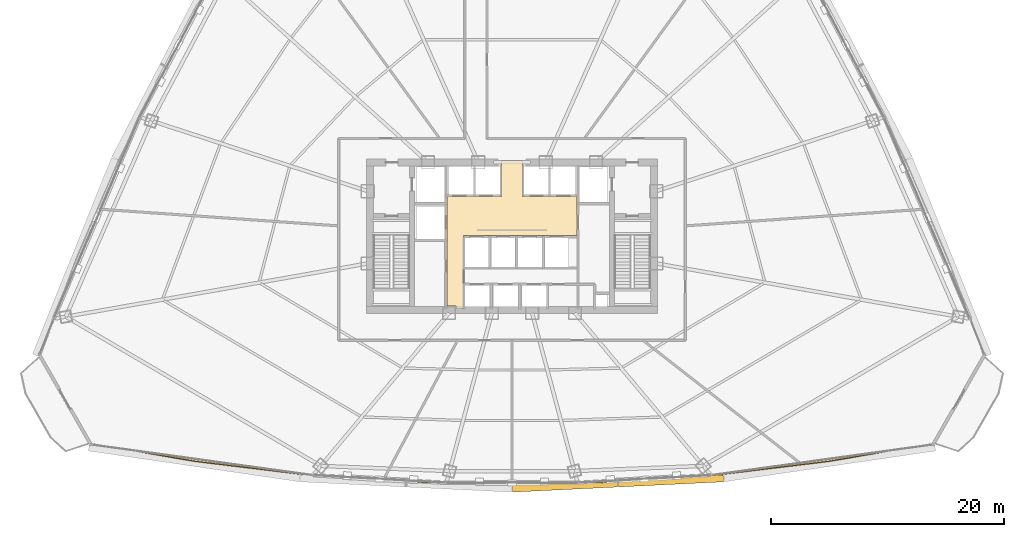
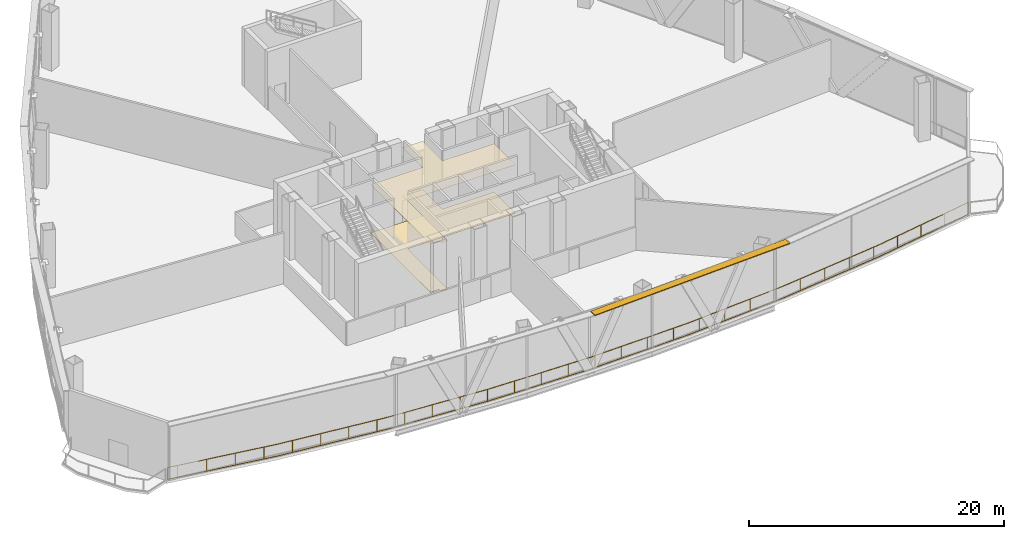
# One storey, part 32 of 36: 2 coverings, 1 railing, 1 shading device.
"""IFC4 building model written with IfcOpenShell, lengths in metres."""

from ifc_helpers import new_model, si_unit, direction, frame, origin, origin_2d, place, context, subcontext, project, spatial, polyline, rectangle, outline, extrude, source, transform, mapped, material, layer, layer_set, type_object, element, save


model = new_model("IFC4")

# Units and contexts
model_context = context("Model", 3, precision=1e-05, world=origin(), true_north=direction((0.0, 1.0)))
body_context = subcontext(model_context, "Body", "Model", "MODEL_VIEW")
ifc_project = project(units=[si_unit("LENGTHUNIT", "METRE"), si_unit("AREAUNIT", "SQUARE_METRE"), si_unit("VOLUMEUNIT", "CUBIC_METRE"), si_unit("PLANEANGLEUNIT", "RADIAN"), si_unit("MASSUNIT", "GRAM", prefix="KILO"), si_unit("THERMODYNAMICTEMPERATUREUNIT", "KELVIN"), si_unit("POWERUNIT", "WATT")], contexts=[model_context])

# Site, building, storey
site_placement = place(None, origin())
site = spatial("IfcSite", under=ifc_project, at=site_placement, CompositionType="ELEMENT")
building_placement = place(site_placement, origin())
building = spatial("IfcBuilding", under=site, at=building_placement, Name="Yunzhuo Pagoda Commons", CompositionType="ELEMENT")
storey_placement = place(building_placement, frame((0.0, 0.0, 119.179931640625)))
storey = spatial("IfcBuildingStorey", under=building, at=storey_placement, Name="L30", CompositionType="ELEMENT", Elevation=119.179931640625)

# Coverings
ifc_material_1 = material(Name="Mineral fibre acoustic ceiling board")
ifc_layer_1 = layer(ifc_material_1, 0.02490234375)
ifc_layer_set_1 = layer_set([ifc_layer_1], Name="Mineral fibre acoustic ceiling board")
covering_type_1 = type_object("IfcCoveringType", Name="COV-CL1 Ceiling 25", PredefinedType="CEILING", material=ifc_layer_set_1)
covering_1_placement = place(storey_placement, frame((0.0, 0.0, 4.6201171875)))
element("IfcCovering", 1, at=covering_1_placement, inside=storey, type_object=covering_type_1, Name="L30 lift lobby acoustic ceiling", PredefinedType="CEILING", context=body_context, shape_type="SweptSolid", body=[
    extrude(outline(polyline([(43.207763671875, 27.85009765625), (43.201904296875, 27.864013671875), (43.187744140625, 27.8701171875), (42.39990234375, 27.8701171875), (42.39990234375, 33.89990234375), (42.39990234375, 37.25), (47.10009765625, 37.25), (47.10009765625, 40.35009765625), (48.89990234375, 40.35009765625), (48.89990234375, 37.25), (53.580078125, 37.25), (53.580078125, 33.89990234375), (43.820068359375, 33.89990234375), (43.820068359375, 27.60009765625), (43.207763671875, 27.60009765625), (43.207763671875, 27.85009765625)])), origin(), (0.0, 0.0, 1.0), 0.02490234375),
])
ifc_material_2 = material(Name="Terrazzo stone lobby flooring", Category="masonry")
ifc_layer_2 = layer(ifc_material_2, 0.02392578125)
ifc_layer_set_2 = layer_set([ifc_layer_2], Name="Terrazzo stone lobby flooring")
covering_type_2 = type_object("IfcCoveringType", Name="COV-FL2 Flooring 24", PredefinedType="FLOORING", material=ifc_layer_set_2)
covering_2_placement = place(storey_placement, origin())
element("IfcCovering", 2, at=covering_2_placement, inside=storey, type_object=covering_type_2, Name="L30 lift lobby flooring", PredefinedType="FLOORING", context=body_context, shape_type="SweptSolid", body=[
    extrude(outline(polyline([(43.207763671875, 27.85009765625), (43.201904296875, 27.864013671875), (43.187744140625, 27.8701171875), (42.39990234375, 27.8701171875), (42.39990234375, 33.89990234375), (42.39990234375, 37.25), (47.10009765625, 37.25), (47.10009765625, 40.35009765625), (48.89990234375, 40.35009765625), (48.89990234375, 37.25), (53.580078125, 37.25), (53.580078125, 33.89990234375), (43.820068359375, 33.89990234375), (43.820068359375, 27.60009765625), (43.207763671875, 27.60009765625), (43.207763671875, 27.85009765625)])), origin(), (0.0, 0.0, 1.0), 0.024169921875),
])

# Railing
ifc_material_3 = material(Name="Anodized aluminium 6063-T6", Category="aluminium")
railing_type = type_object("IfcRailingType", Name="RL-SIL1 Curtain-Wall Sill Safety Guardrail 1180", PredefinedType="GUARDRAIL", material=ifc_material_3)
railing_placement = place(storey_placement, frame((84.212890625, 16.03564453125, 0.0)))
element("IfcRailing", 3, at=railing_placement, inside=storey, type_object=railing_type, Name="L30 curtain-wall sill safety rail 2", PredefinedType="GUARDRAIL", context=body_context, shape_type="SweptSolid", body=[
    extrude(rectangle(XDim=0.048095703125, YDim=0.048095703125, at=origin_2d()), frame((0.0, 0.0, 1.15576171875), z_axis=(-0.985806616016, -0.167884829033, 0.0), x_axis=(0.167884829033, -0.985806616016, 0.0)), (0.0, 0.0, 1.0), 9.0947265625),
    extrude(rectangle(XDim=0.048095703125, YDim=0.048095703125, at=origin_2d()), frame((0.0, 0.0, 0.02392578125), z_axis=(-0.985806616016, -0.167884829033, 0.0), x_axis=(0.167884829033, -0.985806616016, 0.0)), (0.0, 0.0, 1.0), 9.0947265625),
    extrude(rectangle(XDim=0.048095703125, YDim=0.048095703125, at=origin_2d()), frame((-8.965576171875, -1.52685546875, 1.15576171875), z_axis=(-0.99268055971, -0.120769641773, 0.0), x_axis=(0.120769641773, -0.99268055971, 0.0)), (0.0, 0.0, 1.0), 9.1494140625),
    extrude(rectangle(XDim=0.048095703125, YDim=0.048095703125, at=origin_2d()), frame((-8.965576171875, -1.52685546875, 0.02392578125), z_axis=(-0.99268055971, -0.120769641773, 0.0), x_axis=(0.120769641773, -0.99268055971, 0.0)), (0.0, 0.0, 1.0), 9.1494140625),
    extrude(rectangle(XDim=0.048095703125, YDim=0.048095703125, at=origin_2d()), frame((-18.048095703125, -2.6318359375, 1.15576171875), z_axis=(-0.997345465649, -0.072814985745, 0.0), x_axis=(0.072814985745, -0.997345465649, 0.0)), (0.0, 0.0, 1.0), 9.1064453125),
    extrude(rectangle(XDim=0.048095703125, YDim=0.048095703125, at=origin_2d()), frame((-18.048095703125, -2.6318359375, 0.02392578125), z_axis=(-0.997345465649, -0.072814985745, 0.0), x_axis=(0.072814985745, -0.997345465649, 0.0)), (0.0, 0.0, 1.0), 9.1064453125),
    extrude(rectangle(XDim=0.048095703125, YDim=0.048095703125, at=origin_2d()), frame((-27.13037109375, -3.294921875, 1.15576171875), z_axis=(-0.999704238336, -0.024319454215, 0.0), x_axis=(0.024319454215, -0.999704238336, 0.0)), (0.0, 0.0, 1.0), 9.085205078125),
    extrude(rectangle(XDim=0.048095703125, YDim=0.048095703125, at=origin_2d()), frame((-27.13037109375, -3.294921875, 0.02392578125), z_axis=(-0.999704238336, -0.024319454215, 0.0), x_axis=(0.024319454215, -0.999704238336, 0.0)), (0.0, 0.0, 1.0), 9.085205078125),
    extrude(rectangle(XDim=0.048095703125, YDim=0.048095703125, at=origin_2d()), frame((-36.212890625, -3.515869140625, 1.15576171875), z_axis=(-0.999704238336, 0.024319454215, 0.0), x_axis=(-0.024319454215, -0.999704238336, 0.0)), (0.0, 0.0, 1.0), 9.085205078125),
    extrude(rectangle(XDim=0.048095703125, YDim=0.048095703125, at=origin_2d()), frame((-36.212890625, -3.515869140625, 0.02392578125), z_axis=(-0.999704238336, 0.024319454215, 0.0), x_axis=(-0.024319454215, -0.999704238336, 0.0)), (0.0, 0.0, 1.0), 9.085205078125),
    extrude(rectangle(XDim=0.048095703125, YDim=0.048095703125, at=origin_2d()), frame((-45.29541015625, -3.294921875, 1.15576171875), z_axis=(-0.997345465649, 0.072814985745, 0.0), x_axis=(-0.072814985745, -0.997345465649, 0.0)), (0.0, 0.0, 1.0), 9.1064453125),
    extrude(rectangle(XDim=0.048095703125, YDim=0.048095703125, at=origin_2d()), frame((-45.29541015625, -3.294921875, 0.02392578125), z_axis=(-0.997345465649, 0.072814985745, 0.0), x_axis=(-0.072814985745, -0.997345465649, 0.0)), (0.0, 0.0, 1.0), 9.1064453125),
    extrude(rectangle(XDim=0.048095703125, YDim=0.048095703125, at=origin_2d()), frame((-54.377685546875, -2.6318359375, 1.15576171875), z_axis=(-0.99268055971, 0.120769641773, 0.0), x_axis=(-0.120769641773, -0.99268055971, 0.0)), (0.0, 0.0, 1.0), 9.1494140625),
    extrude(rectangle(XDim=0.048095703125, YDim=0.048095703125, at=origin_2d()), frame((-54.377685546875, -2.6318359375, 0.02392578125), z_axis=(-0.99268055971, 0.120769641773, 0.0), x_axis=(-0.120769641773, -0.99268055971, 0.0)), (0.0, 0.0, 1.0), 9.1494140625),
    extrude(rectangle(XDim=0.048095703125, YDim=0.048095703125, at=origin_2d()), frame((-63.460205078125, -1.52685546875, 1.15576171875), z_axis=(-0.985806616016, 0.167884829033, 0.0), x_axis=(-0.167884829033, -0.985806616016, 0.0)), (0.0, 0.0, 1.0), 9.0947265625),
    extrude(rectangle(XDim=0.048095703125, YDim=0.048095703125, at=origin_2d()), frame((-63.460205078125, -1.52685546875, 0.02392578125), z_axis=(-0.985806616016, 0.167884829033, 0.0), x_axis=(-0.167884829033, -0.985806616016, 0.0)), (0.0, 0.0, 1.0), 9.0947265625),
    extrude(rectangle(XDim=0.0419921875, YDim=0.0419921875, at=origin_2d()), origin(), (0.0, 0.0, 1.0), 1.1318359375),
    extrude(rectangle(XDim=0.0419921875, YDim=0.0419921875, at=origin_2d()), frame((-2.365966796875, -0.40283203125, 0.0)), (0.0, 0.0, 1.0), 1.1318359375),
    extrude(rectangle(XDim=0.0419921875, YDim=0.0419921875, at=origin_2d()), frame((-4.73193359375, -0.805908203125, 0.0)), (0.0, 0.0, 1.0), 1.1318359375),
    extrude(rectangle(XDim=0.0419921875, YDim=0.0419921875, at=origin_2d()), frame((-7.097900390625, -1.208740234375, 0.0)), (0.0, 0.0, 1.0), 1.1318359375),
    extrude(rectangle(XDim=0.0419921875, YDim=0.0419921875, at=origin_2d()), frame((-9.46728515625, -1.587890625, 0.0)), (0.0, 0.0, 1.0), 1.1318359375),
    extrude(rectangle(XDim=0.0419921875, YDim=0.0419921875, at=origin_2d()), frame((-11.849609375, -1.877685546875, 0.0)), (0.0, 0.0, 1.0), 1.1318359375),
    extrude(rectangle(XDim=0.0419921875, YDim=0.0419921875, at=origin_2d()), frame((-14.232177734375, -2.16748046875, 0.0)), (0.0, 0.0, 1.0), 1.1318359375),
    extrude(rectangle(XDim=0.0419921875, YDim=0.0419921875, at=origin_2d()), frame((-16.614501953125, -2.45751953125, 0.0)), (0.0, 0.0, 1.0), 1.1318359375),
    extrude(rectangle(XDim=0.0419921875, YDim=0.0419921875, at=origin_2d()), frame((-19.00146484375, -2.701416015625, 0.0)), (0.0, 0.0, 1.0), 1.1318359375),
    extrude(rectangle(XDim=0.0419921875, YDim=0.0419921875, at=origin_2d()), frame((-21.39501953125, -2.876220703125, 0.0)), (0.0, 0.0, 1.0), 1.1318359375),
    extrude(rectangle(XDim=0.0419921875, YDim=0.0419921875, at=origin_2d()), frame((-23.78857421875, -3.051025390625, 0.0)), (0.0, 0.0, 1.0), 1.1318359375),
    extrude(rectangle(XDim=0.0419921875, YDim=0.0419921875, at=origin_2d()), frame((-26.182373046875, -3.2255859375, 0.0)), (0.0, 0.0, 1.0), 1.1318359375),
    extrude(rectangle(XDim=0.0419921875, YDim=0.0419921875, at=origin_2d()), frame((-28.579345703125, -3.330078125, 0.0)), (0.0, 0.0, 1.0), 1.1318359375),
    extrude(rectangle(XDim=0.0419921875, YDim=0.0419921875, at=origin_2d()), frame((-30.978515625, -3.388427734375, 0.0)), (0.0, 0.0, 1.0), 1.1318359375),
    extrude(rectangle(XDim=0.0419921875, YDim=0.0419921875, at=origin_2d()), frame((-33.3779296875, -3.447021484375, 0.0)), (0.0, 0.0, 1.0), 1.1318359375),
    extrude(rectangle(XDim=0.0419921875, YDim=0.0419921875, at=origin_2d()), frame((-35.777099609375, -3.50537109375, 0.0)), (0.0, 0.0, 1.0), 1.1318359375),
    extrude(rectangle(XDim=0.0419921875, YDim=0.0419921875, at=origin_2d()), frame((-38.176513671875, -3.468017578125, 0.0)), (0.0, 0.0, 1.0), 1.1318359375),
    extrude(rectangle(XDim=0.0419921875, YDim=0.0419921875, at=origin_2d()), frame((-40.57568359375, -3.40966796875, 0.0)), (0.0, 0.0, 1.0), 1.1318359375),
    extrude(rectangle(XDim=0.0419921875, YDim=0.0419921875, at=origin_2d()), frame((-42.97509765625, -3.351318359375, 0.0)), (0.0, 0.0, 1.0), 1.1318359375),
    extrude(rectangle(XDim=0.0419921875, YDim=0.0419921875, at=origin_2d()), frame((-45.374267578125, -3.2890625, 0.0)), (0.0, 0.0, 1.0), 1.1318359375),
    extrude(rectangle(XDim=0.0419921875, YDim=0.0419921875, at=origin_2d()), frame((-47.767822265625, -3.114501953125, 0.0)), (0.0, 0.0, 1.0), 1.1318359375),
    extrude(rectangle(XDim=0.0419921875, YDim=0.0419921875, at=origin_2d()), frame((-50.161376953125, -2.939697265625, 0.0)), (0.0, 0.0, 1.0), 1.1318359375),
    extrude(rectangle(XDim=0.0419921875, YDim=0.0419921875, at=origin_2d()), frame((-52.55517578125, -2.764892578125, 0.0)), (0.0, 0.0, 1.0), 1.1318359375),
    extrude(rectangle(XDim=0.0419921875, YDim=0.0419921875, at=origin_2d()), frame((-54.946044921875, -2.562744140625, 0.0)), (0.0, 0.0, 1.0), 1.1318359375),
    extrude(rectangle(XDim=0.0419921875, YDim=0.0419921875, at=origin_2d()), frame((-57.328369140625, -2.27294921875, 0.0)), (0.0, 0.0, 1.0), 1.1318359375),
    extrude(rectangle(XDim=0.0419921875, YDim=0.0419921875, at=origin_2d()), frame((-59.7109375, -1.98291015625, 0.0)), (0.0, 0.0, 1.0), 1.1318359375),
    extrude(rectangle(XDim=0.0419921875, YDim=0.0419921875, at=origin_2d()), frame((-62.09326171875, -1.693115234375, 0.0)), (0.0, 0.0, 1.0), 1.1318359375),
    extrude(rectangle(XDim=0.0419921875, YDim=0.0419921875, at=origin_2d()), frame((-64.46875, -1.35498046875, 0.0)), (0.0, 0.0, 1.0), 1.1318359375),
    extrude(rectangle(XDim=0.0419921875, YDim=0.0419921875, at=origin_2d()), frame((-66.834716796875, -0.9521484375, 0.0)), (0.0, 0.0, 1.0), 1.1318359375),
    extrude(rectangle(XDim=0.0419921875, YDim=0.0419921875, at=origin_2d()), frame((-69.20068359375, -0.54931640625, 0.0)), (0.0, 0.0, 1.0), 1.1318359375),
    extrude(rectangle(XDim=0.0419921875, YDim=0.0419921875, at=origin_2d()), frame((-71.566650390625, -0.146240234375, 0.0)), (0.0, 0.0, 1.0), 1.1318359375),
    extrude(rectangle(XDim=0.0419921875, YDim=0.0419921875, at=origin_2d()), frame((-72.42578125, 0.0, 0.0)), (0.0, 0.0, 1.0), 1.1318359375),
])

# Shading device
ifc_layer_3 = layer(ifc_material_3, 0.080078125)
ifc_layer_set_3 = layer_set([ifc_layer_3], Name="Anodized aluminium 6063-T6")
shading_device_type = type_object("IfcShadingDeviceType", Name="SH-SUN1 Pagoda Horizontal Sunshade Eave 650", PredefinedType="USERDEFINED", material=ifc_layer_set_3)
shared_shape = source(origin(), body_context, "Body", "SweptSolid", [
    extrude(rectangle(XDim=18.156005859375, YDim=0.64990234375, at=origin_2d()), origin(), (0.0, 0.0, 1.0), 0.080078125),
])
shading_device_placement = place(storey_placement, frame((57.09912109375, 12.622314453125, 5.489990234375), z_axis=(0.0, 0.0, 1.0), x_axis=(0.998818043775, 0.04860571396, 0.0)))
element("IfcShadingDevice", 4, at=shading_device_placement, inside=storey, type_object=shading_device_type, Name="L30 horizontal pagoda sunshade eave F1.3", ObjectType="SUNSHADE", PredefinedType="USERDEFINED", context=body_context, shape_type="MappedRepresentation", body=[
    mapped(shared_shape, transform((0.0, 0.0, 0.0), scale=1.0)),
])

save(model, "model.ifc")
